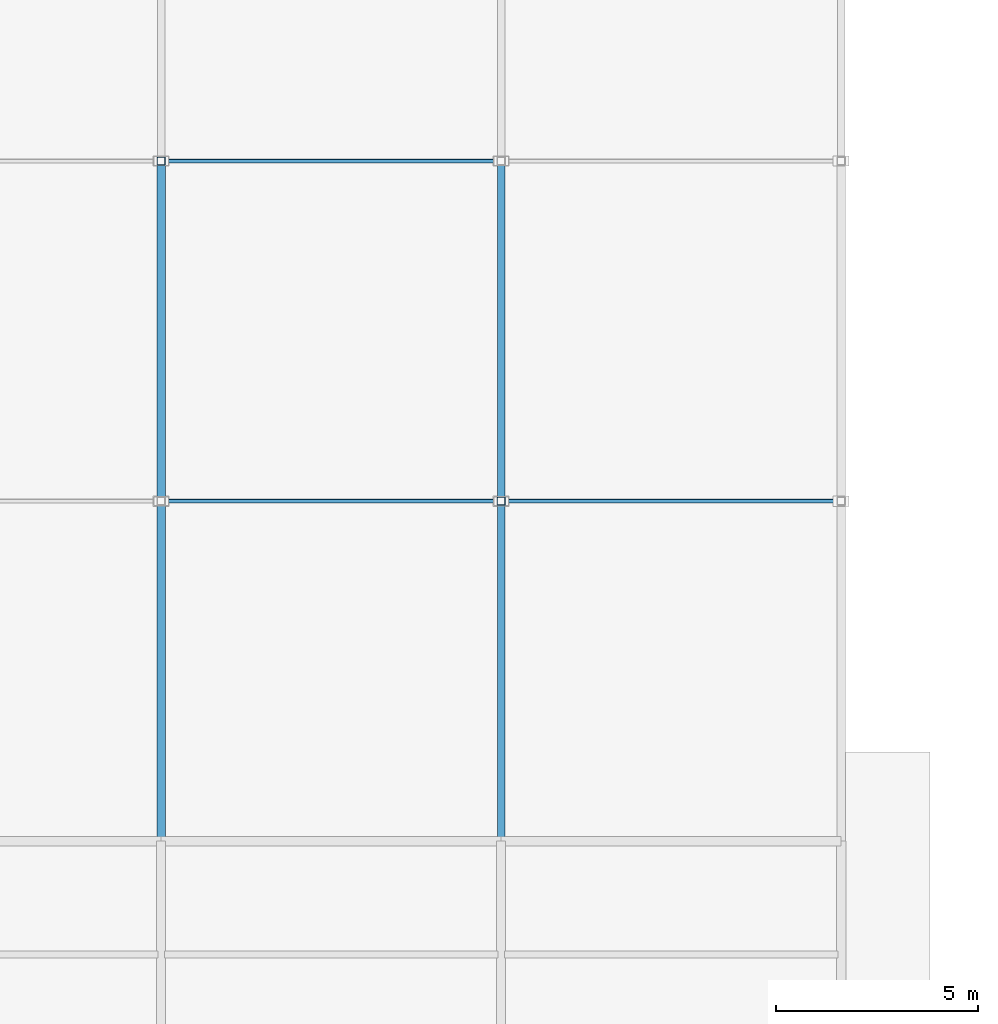
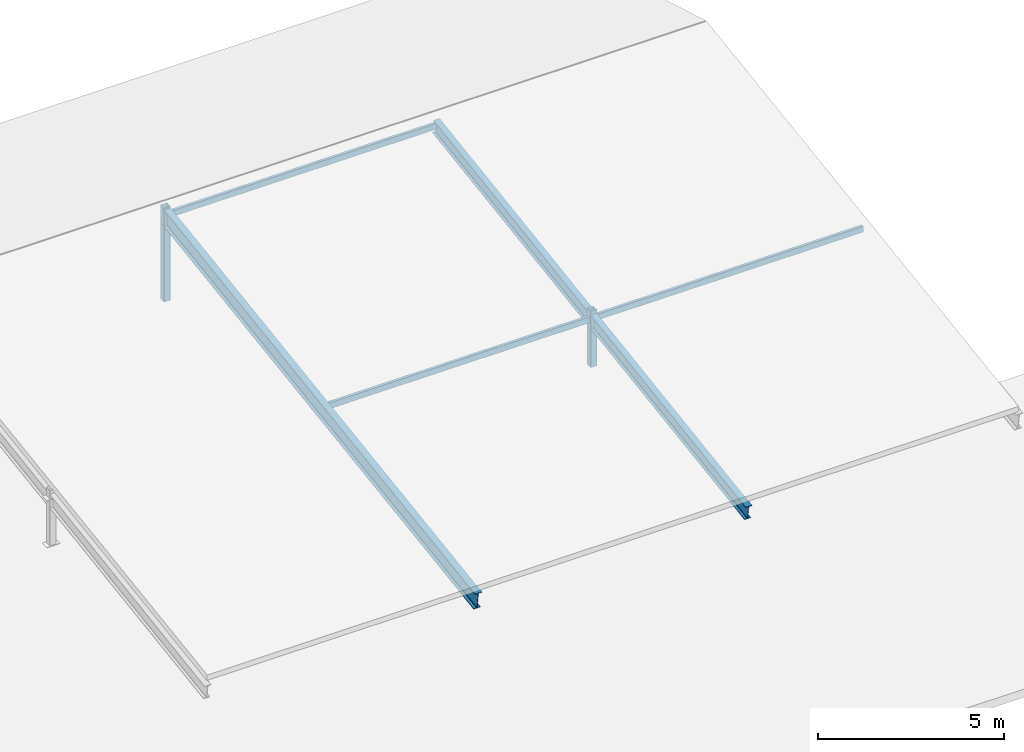
# One storey, part 4 of 31: 5 members, 2 beams.
"""IFC4 building model written with IfcOpenShell, lengths in metres."""

import ifcopenshell
import ifcopenshell.guid

model = None  # the IFC model being written
_history = None  # IfcOwnerHistory: only IFC2X3 demands one
_inside = {}  # id of a spatial element -> (the spatial element, [elements in it])
_under = {}  # id of a project, library or spatial element -> (it, [spatial elements below it])
_declared = {}  # id of a project -> (the project, [libraries it declares])
_typed = {}  # id of a type object -> (the type object, [elements of that type])
_made_of = {}  # id of a material, layer set ... -> (it, [elements and type objects made of it])


def new_model(schema):
    """Start an empty IFC model of exactly this schema.

    Asked for "IFC4X3", IfcOpenShell would pick the latest addendum, in which some entities
    have other attributes; the version numbers below select the first issue.
    IFC2X3 requires an IfcOwnerHistory on every rooted entity: one is made here for all.
    """
    global model, _history
    if schema == "IFC4X3":
        model = ifcopenshell.file(schema_version=(4, 3, 0, 0))
    else:
        model = ifcopenshell.file(schema=schema)
    _inside.clear()
    _under.clear()
    _declared.clear()
    _typed.clear()
    _made_of.clear()
    _history = None
    if model.schema == "IFC2X3":
        org = make("IfcOrganization", Name="unknown")
        user = make(
            "IfcPersonAndOrganization",
            ThePerson=make("IfcPerson", FamilyName="unknown"),
            TheOrganization=org,
        )
        app = make(
            "IfcApplication",
            ApplicationDeveloper=org,
            Version="unknown",
            ApplicationFullName="unknown",
            ApplicationIdentifier="unknown",
        )
        _history = make(
            "IfcOwnerHistory",
            OwningUser=user,
            OwningApplication=app,
            ChangeAction="ADDED",
            CreationDate=0,
        )
    return model


def make(cls, **values):
    """One entity of the class cls with the attributes given. An attribute that is None is left unset."""
    return model.create_entity(
        cls, **{name: value for name, value in values.items() if value is not None}
    )


def rooted(cls, **values):
    """An entity with a GlobalId (a new one), such as an element, a storey or a relation."""
    return make(cls, GlobalId=ifcopenshell.guid.new(), OwnerHistory=_history, **values)


def si_unit(unit_type, name, prefix=None):
    """IfcSIUnit, for example si_unit("LENGTHUNIT", "METRE", prefix="MILLI")."""
    return make("IfcSIUnit", UnitType=unit_type, Prefix=prefix, Name=name)


def assignment(units):
    """IfcUnitAssignment: the units of a project."""
    return None if units is None else make("IfcUnitAssignment", Units=units)


def point(xyz):
    """IfcCartesianPoint."""
    return None if xyz is None else make("IfcCartesianPoint", Coordinates=xyz)


def direction(xyz):
    """IfcDirection."""
    return None if xyz is None else make("IfcDirection", DirectionRatios=xyz)


def frame(location, z_axis=None, x_axis=None):
    """IfcAxis2Placement3D, a coordinate frame: its origin and axes. An axis left out is left unset."""
    return make(
        "IfcAxis2Placement3D",
        Location=point(location),
        Axis=direction(z_axis),
        RefDirection=direction(x_axis),
    )


def frame_2d(location, x_axis=None):
    """IfcAxis2Placement2D, a coordinate frame in the plane: its origin and x axis."""
    return make(
        "IfcAxis2Placement2D", Location=point(location), RefDirection=direction(x_axis)
    )


def origin():
    """The frame at (0, 0, 0) with its axes left unset."""
    return frame((0.0, 0.0, 0.0))


def origin_2d():
    """The frame at (0, 0) in the plane with its x axis left unset."""
    return frame_2d((0.0, 0.0))


def place(relative_to, where):
    """IfcLocalPlacement: puts the frame where relative to a parent placement (None: the world)."""
    return make(
        "IfcLocalPlacement", PlacementRelTo=relative_to, RelativePlacement=where
    )


def context(
    kind, dimensions, precision=None, world=None, true_north=None, identifier=None
):
    """IfcGeometricRepresentationContext, for example the 3D "Model" context."""
    return make(
        "IfcGeometricRepresentationContext",
        ContextIdentifier=identifier,
        ContextType=kind,
        CoordinateSpaceDimension=dimensions,
        Precision=precision,
        WorldCoordinateSystem=world,
        TrueNorth=true_north,
    )


def subcontext(parent, identifier, kind, view, scale=None):
    """IfcGeometricRepresentationSubContext, for example "Body" below "Model"."""
    return make(
        "IfcGeometricRepresentationSubContext",
        ContextIdentifier=identifier,
        ContextType=kind,
        ParentContext=parent,
        TargetScale=scale,
        TargetView=view,
    )


def project(units=None, contexts=None):
    """IfcProject with its units and contexts."""
    return rooted(
        "IfcProject",
        Name="project",
        RepresentationContexts=contexts,
        UnitsInContext=assignment(units),
    )


def spatial(cls, under=None, at=None, **own):
    """A site, building, storey or space (cls), placed at a placement, below another one or the project."""
    s = rooted(cls, ObjectPlacement=at, **own)
    if under is not None:
        _under.setdefault(under.id(), (under, []))[1].append(s)
    return s


def profile(cls, at=None, kind="AREA", **sizes):
    """A parametric profile (cls). Its sizes go by their IFC names, for example OverallWidth=200.0."""
    return make(cls, ProfileType=kind, Position=at, **sizes)


def hollow_rectangle(**sizes):
    """IfcRectangleHollowProfileDef."""
    return profile("IfcRectangleHollowProfileDef", **sizes)


def i_section(**sizes):
    """IfcIShapeProfileDef."""
    return profile("IfcIShapeProfileDef", **sizes)


def extrude(swept, where, along, depth):
    """IfcExtrudedAreaSolid: the profile swept, set in the frame where, extruded along a direction by depth."""
    return make(
        "IfcExtrudedAreaSolid",
        SweptArea=swept,
        Position=where,
        ExtrudedDirection=direction(along),
        Depth=depth,
    )


def shape(context_of_items, identifier, shape_type, items):
    """IfcShapeRepresentation: the items that make up one representation, for example the "Body"."""
    return make(
        "IfcShapeRepresentation",
        ContextOfItems=context_of_items,
        RepresentationIdentifier=identifier,
        RepresentationType=shape_type,
        Items=items,
    )


def material(Name=None, Category=None):
    """IfcMaterial."""
    return make("IfcMaterial", Name=Name, Category=Category)


def material_profile(
    of_material, cross_section, Name=None, Category=None, Priority=None
):
    """IfcMaterialProfile: a cross section and its material."""
    return make(
        "IfcMaterialProfile",
        Name=Name,
        Material=of_material,
        Profile=cross_section,
        Priority=Priority,
        Category=Category,
    )


def profile_set(profiles, Name=None, composite=None):
    """IfcMaterialProfileSet."""
    return make(
        "IfcMaterialProfileSet",
        Name=Name,
        MaterialProfiles=profiles,
        CompositeProfile=composite,
    )


def made_of(thing, what):
    """Note that an element or type object is made of a material, layer set ...; save() writes the relation."""
    if what is not None:
        _made_of.setdefault(what.id(), (what, []))[1].append(thing)
    return thing


def type_object(cls, material=None, **own):
    """A type object (cls), such as IfcWallType, which elements share."""
    return made_of(rooted(cls, **own), material)


def element(
    cls,
    number,
    at=None,
    inside=None,
    cuts=None,
    type_object=None,
    material=None,
    context=None,
    identifier="Body",
    shape_type=None,
    held_by="IfcProductDefinitionShape",
    body=None,
    shapes=None,
    **own,
):
    """One element of the class cls, such as IfcWall. Its Tag is "e" and its number.

    at: its placement. inside: the storey or other place that contains it. cuts: it is an
    opening in that element (IfcRelVoidsElement). A single representation is given by context,
    identifier, shape_type and body (its items); several are given by shapes. held_by: the class
    of the entity that holds the representations. save() writes the other relations.
    """
    e = rooted(cls, Tag="e%d" % number, ObjectPlacement=at, **own)
    if body is not None:
        shapes = [shape(context, identifier, shape_type, body)]
    if shapes is not None:
        e.Representation = make(held_by, Representations=shapes)
    if inside is not None:
        _inside.setdefault(inside.id(), (inside, []))[1].append(e)
    if cuts is not None:
        rooted(
            "IfcRelVoidsElement", RelatingBuildingElement=cuts, RelatedOpeningElement=e
        )
    if type_object is not None:
        _typed.setdefault(type_object.id(), (type_object, []))[1].append(e)
    return made_of(e, material)


def aggregate(whole, parts):
    """IfcRelAggregates: a whole, such as a stair, and the parts it consists of."""
    return rooted("IfcRelAggregates", RelatingObject=whole, RelatedObjects=parts)


def save(model, path):
    """Write the relations noted so far, then the file.

    IfcRelAggregates (storeys below a building ...), IfcRelContainedInSpatialStructure (elements
    in a storey), IfcRelDefinesByType, IfcRelAssociatesMaterial and IfcRelDeclares: one each for
    every whole, place, type object, material and project.
    """
    for whole, parts in _under.values():
        aggregate(whole, parts)
    for where, things in _inside.values():
        rooted(
            "IfcRelContainedInSpatialStructure",
            RelatedElements=things,
            RelatingStructure=where,
        )
    for kind, things in _typed.values():
        rooted("IfcRelDefinesByType", RelatedObjects=things, RelatingType=kind)
    for what, things in _made_of.values():
        rooted("IfcRelAssociatesMaterial", RelatedObjects=things, RelatingMaterial=what)
    for by, libraries in _declared.values():
        rooted("IfcRelDeclares", RelatingContext=by, RelatedDefinitions=libraries)
    model.write(path)


model = new_model("IFC4")

# Units and contexts
model_context = context("Model", 3, precision=1e-05, world=origin(), true_north=direction((0.0, 1.0)))
body_context = subcontext(model_context, "Body", "Model", "MODEL_VIEW")
ifc_project = project(units=[si_unit("LENGTHUNIT", "METRE"), si_unit("AREAUNIT", "SQUARE_METRE"), si_unit("VOLUMEUNIT", "CUBIC_METRE"), si_unit("PLANEANGLEUNIT", "RADIAN"), si_unit("MASSUNIT", "GRAM", prefix="KILO")], contexts=[model_context])

# Site, building, storey
site_placement = place(None, origin())
site = spatial("IfcSite", under=ifc_project, at=site_placement, CompositionType="ELEMENT")
building_placement = place(site_placement, origin())
building = spatial("IfcBuilding", under=site, at=building_placement, Name="Varnapada Polytechnic", CompositionType="ELEMENT")
storey_placement = place(building_placement, frame((0.0, 0.0, 22.199951171875)))
storey = spatial("IfcBuildingStorey", under=building, at=storey_placement, Name="L05", CompositionType="ELEMENT", Elevation=22.199951171875)

# Beam
ifc_material = material(Name="Steel S355", Category="steel")
ifc_material_profile_1 = material_profile(ifc_material, i_section(OverallWidth=0.18994140625, OverallDepth=0.449951171875, WebThickness=0.009521484375, FlangeThickness=0.0146484375, FilletRadius=0.02099609375, at=origin_2d()), Name="IPE 450")
ifc_profile_set_1 = profile_set([ifc_material_profile_1], Name="Steel S355")
beam_type_1 = type_object("IfcBeamType", Name="Folded gable & library roof rafter SB-02 (IPE 450)", PredefinedType="BEAM", material=ifc_profile_set_1)
beam_1_placement = place(storey_placement, frame((42.0, 16.800048828125, 0.22509765625), z_axis=(0.0, 0.988894043758, 0.148622239992), x_axis=(-1.0, 0.0, 0.0)))
element("IfcBeam", 1, at=beam_1_placement, inside=storey, type_object=beam_type_1, Name="Lecture pavilion south gable rafter X6", PredefinedType="BEAM", context=body_context, shape_type="SweptSolid", body=[
    extrude(i_section(OverallWidth=0.18994140625, OverallDepth=0.449951171875, WebThickness=0.009521484375, FlangeThickness=0.0146484375, FilletRadius=0.02099609375, at=origin_2d()), origin(), (0.0, 0.0, 1.0), 16.98876953125),
])

# Members
ifc_material_profile_2 = material_profile(ifc_material, hollow_rectangle(XDim=0.10009765625, YDim=0.199951171875, WallThickness=0.00634765625, InnerFilletRadius=0.006103515625, OuterFilletRadius=0.011962890625, at=origin_2d()), Name="RHS 200x100x6.3")
ifc_profile_set_2 = profile_set([ifc_material_profile_2], Name="Steel S355")
member_type_1 = type_object("IfcMemberType", Name="Gable and library roof steel purlin PR-01 (RHS 200x100x6.3)", PredefinedType="PURLIN", material=ifc_profile_set_2)
for number, where, z_axis, x_axis, name in (
    (2, (33.60009765625, 25.199951171875, 1.52001953125), (1.0, 0.0, 0.0), (0.0, 1.0, 0.0), "Lecture roof purlin 5.1"),
    (3, (33.60009765625, 33.60009765625, 2.75), (1.0, 0.0, 0.0), (0.0, 1.0, 0.0), "Lecture roof purlin 5.2"),
    (4, (42.0, 25.199951171875, 1.52001953125), (1.0, 0.0, 0.0), (0.0, 1.0, 0.0), "Lecture roof purlin 6.1"),
):
    element("IfcMember", number, at=place(storey_placement, frame(where, z_axis=z_axis, x_axis=x_axis)), inside=storey, type_object=member_type_1, Name=name, PredefinedType="PURLIN", context=body_context, shape_type="SweptSolid", body=[
        extrude(hollow_rectangle(XDim=0.10009765625, YDim=0.199951171875, WallThickness=0.00634765625, InnerFilletRadius=0.006103515625, OuterFilletRadius=0.011962890625, at=origin_2d()), origin(), (0.0, 0.0, 1.0), 8.39990234375),
    ])

# Beam
ifc_material_profile_3 = material_profile(ifc_material, i_section(OverallWidth=0.2099609375, OverallDepth=0.550048828125, WebThickness=0.010986328125, FlangeThickness=0.01708984375, FilletRadius=0.02392578125, at=origin_2d()), Name="IPE 550")
ifc_profile_set_3 = profile_set([ifc_material_profile_3], Name="Steel S355")
beam_type_2 = type_object("IfcBeamType", Name="Long-span lecture/workshop steel rafter SB-01 (IPE 550)", PredefinedType="BEAM", material=ifc_profile_set_3)
beam_2_placement = place(storey_placement, frame((33.60009765625, 16.800048828125, 0.275146484375), z_axis=(0.0, 0.989323010304, 0.145739429402), x_axis=(-1.0, 0.0, 0.0)))
element("IfcBeam", 5, at=beam_2_placement, inside=storey, type_object=beam_type_2, Name="Lecture pavilion south gable rafter X5", PredefinedType="BEAM", context=body_context, shape_type="SweptSolid", body=[
    extrude(i_section(OverallWidth=0.2099609375, OverallDepth=0.550048828125, WebThickness=0.010986328125, FlangeThickness=0.01708984375, FilletRadius=0.02392578125, at=origin_2d()), origin(), (0.0, 0.0, 1.0), 16.9814453125),
])

# Members
ifc_material_profile_4 = material_profile(ifc_material, hollow_rectangle(XDim=0.199951171875, YDim=0.199951171875, WallThickness=0.008056640625, InnerFilletRadius=0.008056640625, OuterFilletRadius=0.01611328125, at=origin_2d()), Name="SHS 200x200x8")
ifc_profile_set_4 = profile_set([ifc_material_profile_4], Name="Steel S355")
member_type_2 = type_object("IfcMemberType", Name="Roof clerestory king post SFP-01 (SHS 200x200x8)", PredefinedType="POST", material=ifc_profile_set_4)
member_1_placement = place(storey_placement, frame((33.60009765625, 33.60009765625, -0.02001953125), z_axis=(0.0, 0.0, 1.0), x_axis=(1.0, 0.0, 0.0)))
element("IfcMember", 6, at=member_1_placement, inside=storey, type_object=member_type_2, Name="Lecture gable king post X5", PredefinedType="POST", context=body_context, shape_type="SweptSolid", body=[
    extrude(hollow_rectangle(XDim=0.199951171875, YDim=0.199951171875, WallThickness=0.008056640625, InnerFilletRadius=0.008056640625, OuterFilletRadius=0.01611328125, at=origin_2d()), origin(), (0.0, 0.0, 1.0), 3.080078125),
])
member_2_placement = place(storey_placement, frame((42.0, 25.199951171875, -0.02001953125), z_axis=(0.0, 0.0, 1.0), x_axis=(1.0, 0.0, 0.0)))
element("IfcMember", 7, at=member_2_placement, inside=storey, type_object=member_type_2, Name="Lecture gable mid strut X6", PredefinedType="POST", context=body_context, shape_type="SweptSolid", body=[
    extrude(hollow_rectangle(XDim=0.199951171875, YDim=0.199951171875, WallThickness=0.008056640625, InnerFilletRadius=0.008056640625, OuterFilletRadius=0.01611328125, at=origin_2d()), origin(), (0.0, 0.0, 1.0), 1.840087890625),
])

save(model, "model.ifc")
